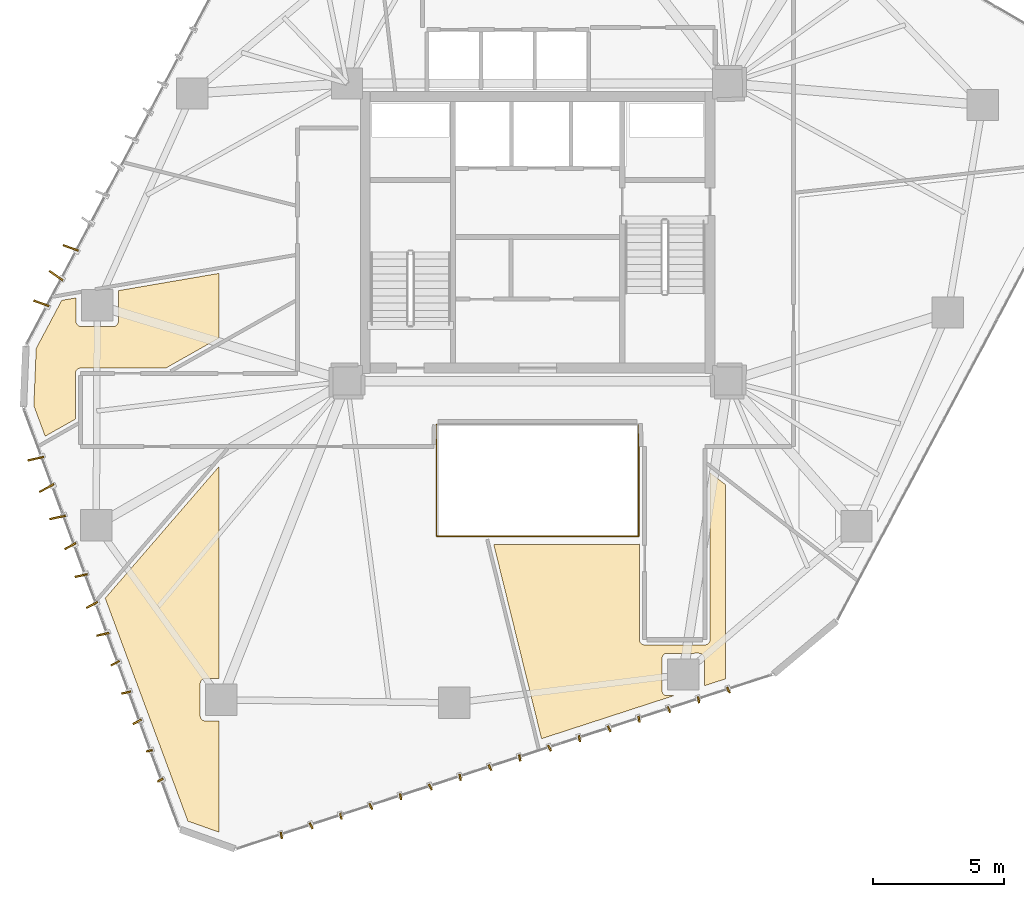
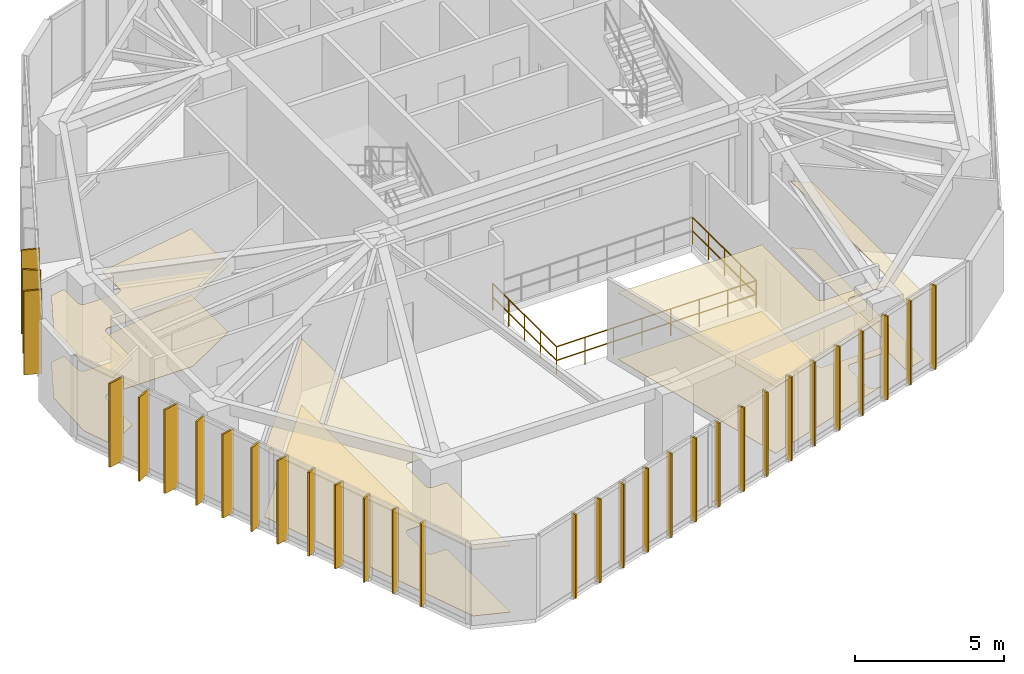
# One storey, part 19 of 21: 31 shading devices, 6 coverings, 3 railings.
"""IFC4 building model written with IfcOpenShell, lengths in metres."""

from ifc_helpers import new_model, si_unit, direction, frame, origin, origin_2d, place, context, subcontext, project, spatial, polyline, rectangle, circle, outline, extrude, source, transform, mapped, material, layer, layer_set, type_object, type_shapes, element, save


model = new_model("IFC4")

# Units and contexts
model_context = context("Model", 3, precision=1e-05, world=origin(), true_north=direction((0.0, 1.0)))
body_context = subcontext(model_context, "Body", "Model", "MODEL_VIEW")
ifc_project = project(units=[si_unit("LENGTHUNIT", "METRE"), si_unit("AREAUNIT", "SQUARE_METRE"), si_unit("VOLUMEUNIT", "CUBIC_METRE"), si_unit("PLANEANGLEUNIT", "RADIAN"), si_unit("MASSUNIT", "GRAM", prefix="KILO")], contexts=[model_context])

# Site, building, storey
site_placement = place(None, origin())
site = spatial("IfcSite", under=ifc_project, at=site_placement, CompositionType="ELEMENT")
building_placement = place(site_placement, origin())
building = spatial("IfcBuilding", under=site, at=building_placement, Name="Talar Marvaseh", CompositionType="ELEMENT")
storey_placement = place(building_placement, frame((0.0, 0.0, 143.39990234375)))
storey = spatial("IfcBuildingStorey", under=building, at=storey_placement, Name="L37", CompositionType="ELEMENT", Elevation=143.39990234375)

# Railings
ifc_material_1 = material(Name="Tempered Clear Glass", Category="glass")
railing_type = type_object("IfcRailingType", Name="Interior Atrium Edge Balustrade 1120", PredefinedType="BALUSTRADE", material=ifc_material_1)
railing_1_placement = place(storey_placement, frame((22.1298828125, 19.561279296875, 0.0)))
element("IfcRailing", 1, at=railing_1_placement, inside=storey, type_object=railing_type, Name="L37 Internal Daylight Atrium Balustrade 1", PredefinedType="BALUSTRADE", context=body_context, shape_type="SweptSolid", body=[
    extrude(circle(Radius=0.02392578125, at=origin_2d()), frame((0.0, 0.0, 1.09619140625), z_axis=(1.0, 0.0, 0.0), x_axis=(0.0, 1.0, 0.0)), (0.0, 0.0, 1.0), 7.740234375),
    extrude(circle(Radius=0.02392578125, at=origin_2d()), frame((0.0, 0.0, 0.5361328125), z_axis=(1.0, 0.0, 0.0), x_axis=(0.0, 1.0, 0.0)), (0.0, 0.0, 1.0), 7.740234375),
    extrude(circle(Radius=0.02099609375, at=origin_2d()), origin(), (0.0, 0.0, 1.0), 1.072021484375),
    extrude(circle(Radius=0.02099609375, at=origin_2d()), frame((1.105712890625, 0.0, 0.0)), (0.0, 0.0, 1.0), 1.072021484375),
    extrude(circle(Radius=0.02099609375, at=origin_2d()), frame((2.21142578125, 0.0, 0.0)), (0.0, 0.0, 1.0), 1.072021484375),
    extrude(circle(Radius=0.02099609375, at=origin_2d()), frame((3.317138671875, 0.0, 0.0)), (0.0, 0.0, 1.0), 1.072021484375),
    extrude(circle(Radius=0.02099609375, at=origin_2d()), frame((4.423095703125, 0.0, 0.0)), (0.0, 0.0, 1.0), 1.072021484375),
    extrude(circle(Radius=0.02099609375, at=origin_2d()), frame((5.52880859375, 0.0, 0.0)), (0.0, 0.0, 1.0), 1.072021484375),
    extrude(circle(Radius=0.02099609375, at=origin_2d()), frame((6.634521484375, 0.0, 0.0)), (0.0, 0.0, 1.0), 1.072021484375),
    extrude(circle(Radius=0.02099609375, at=origin_2d()), frame((7.740234375, 0.0, 0.0)), (0.0, 0.0, 1.0), 1.072021484375),
])
railing_2_placement = place(storey_placement, frame((29.8701171875, 19.561279296875, 0.0)))
element("IfcRailing", 2, at=railing_2_placement, inside=storey, type_object=railing_type, Name="L37 Internal Daylight Atrium Balustrade 2", PredefinedType="BALUSTRADE", context=body_context, shape_type="SweptSolid", body=[
    extrude(circle(Radius=0.02392578125, at=origin_2d()), frame((0.0, 0.0, 1.09619140625), z_axis=(0.0, 1.0, 0.0), x_axis=(-1.0, 0.0, 0.0)), (0.0, 0.0, 1.0), 4.27734375),
    extrude(circle(Radius=0.02392578125, at=origin_2d()), frame((0.0, 0.0, 0.5361328125), z_axis=(0.0, 1.0, 0.0), x_axis=(-1.0, 0.0, 0.0)), (0.0, 0.0, 1.0), 4.27734375),
    extrude(circle(Radius=0.02099609375, at=origin_2d()), origin(), (0.0, 0.0, 1.0), 1.072021484375),
    extrude(circle(Radius=0.02099609375, at=origin_2d()), frame((0.0, 1.0693359375, 0.0)), (0.0, 0.0, 1.0), 1.072021484375),
    extrude(circle(Radius=0.02099609375, at=origin_2d()), frame((0.0, 2.138671875, 0.0)), (0.0, 0.0, 1.0), 1.072021484375),
    extrude(circle(Radius=0.02099609375, at=origin_2d()), frame((0.0, 3.2080078125, 0.0)), (0.0, 0.0, 1.0), 1.072021484375),
    extrude(circle(Radius=0.02099609375, at=origin_2d()), frame((0.0, 4.27734375, 0.0)), (0.0, 0.0, 1.0), 1.072021484375),
])
railing_3_placement = place(storey_placement, frame((22.1298828125, 23.838623046875, 0.0)))
element("IfcRailing", 3, at=railing_3_placement, inside=storey, type_object=railing_type, Name="L37 Internal Daylight Atrium Balustrade 4", PredefinedType="BALUSTRADE", context=body_context, shape_type="SweptSolid", body=[
    extrude(circle(Radius=0.02392578125, at=origin_2d()), frame((0.0, 0.0, 1.09619140625), z_axis=(0.0, -1.0, 0.0), x_axis=(1.0, 0.0, 0.0)), (0.0, 0.0, 1.0), 4.27734375),
    extrude(circle(Radius=0.02392578125, at=origin_2d()), frame((0.0, 0.0, 0.5361328125), z_axis=(0.0, -1.0, 0.0), x_axis=(1.0, 0.0, 0.0)), (0.0, 0.0, 1.0), 4.27734375),
    extrude(circle(Radius=0.02099609375, at=origin_2d()), origin(), (0.0, 0.0, 1.0), 1.072021484375),
    extrude(circle(Radius=0.02099609375, at=origin_2d()), frame((0.0, -1.0693359375, 0.0)), (0.0, 0.0, 1.0), 1.072021484375),
    extrude(circle(Radius=0.02099609375, at=origin_2d()), frame((0.0, -2.138671875, 0.0)), (0.0, 0.0, 1.0), 1.072021484375),
    extrude(circle(Radius=0.02099609375, at=origin_2d()), frame((0.0, -3.2080078125, 0.0)), (0.0, 0.0, 1.0), 1.072021484375),
    extrude(circle(Radius=0.02099609375, at=origin_2d()), frame((0.0, -4.27734375, 0.0)), (0.0, 0.0, 1.0), 1.072021484375),
])

# Coverings
ifc_material_2 = material(Name="Mineral Fibre Acoustic Ceiling")
ifc_layer_1 = layer(ifc_material_2, 0.02490234375)
ifc_layer_set_1 = layer_set([ifc_layer_1], Name="Mineral Fibre Acoustic Ceiling")
covering_type_1 = type_object("IfcCoveringType", Name="Perforated Mineral Fibre Acoustic Suspended Ceiling", PredefinedType="CEILING", material=ifc_layer_set_1)
covering_1_placement = place(storey_placement, frame((0.0, 0.0, 2.72021484375)))
element("IfcCovering", 4, at=covering_1_placement, inside=storey, type_object=covering_type_1, Name="L37 Curatorial Office Acoustic Ceiling", PredefinedType="CEILING", context=body_context, shape_type="SweptSolid", body=[
    extrude(outline(polyline([(8.322998046875, 28.6875), (8.322998046875, 27.802001953125), (8.323974609375, 27.782470703125), (8.326904296875, 27.762939453125), (8.33154296875, 27.743896484375), (8.33837890625, 27.725341796875), (8.3466796875, 27.70751953125), (8.356689453125, 27.69091796875), (8.3662109375, 27.677001953125), (8.377685546875, 27.6611328125), (8.390869140625, 27.646484375), (8.405517578125, 27.633544921875), (8.421142578125, 27.621826171875), (8.43798828125, 27.61181640625), (8.455810546875, 27.603271484375), (8.47412109375, 27.5966796875), (8.4931640625, 27.592041015625), (8.5126953125, 27.589111328125), (8.5322265625, 27.588134765625), (9.74072265625, 27.58740234375), (9.760498046875, 27.588134765625), (9.77978515625, 27.591064453125), (9.798828125, 27.595947265625), (9.817138671875, 27.602294921875), (9.8349609375, 27.61083984375), (9.851806640625, 27.620849609375), (9.86767578125, 27.632568359375), (9.882080078125, 27.645751953125), (9.895263671875, 27.66015625), (9.907470703125, 27.6748046875), (9.919189453125, 27.690673828125), (9.92919921875, 27.70751953125), (9.937744140625, 27.725341796875), (9.9443359375, 27.743896484375), (9.94921875, 27.76318359375), (9.9521484375, 27.78271484375), (9.952880859375, 27.80224609375), (9.951416015625, 28.966796875), (13.800048828125, 29.627197265625), (13.800048828125, 27.150634765625), (11.76220703125, 26.0), (8.5, 26.0), (8.48046875, 25.9990234375), (8.4609375, 25.99609375), (8.44189453125, 25.991455078125), (8.423583984375, 25.98486328125), (8.40576171875, 25.976318359375), (8.388916015625, 25.96630859375), (8.373046875, 25.95458984375), (8.358642578125, 25.94140625), (8.345458984375, 25.927001953125), (8.333740234375, 25.9111328125), (8.323486328125, 25.894287109375), (8.315185546875, 25.87646484375), (8.30859375, 25.858154296875), (8.3037109375, 25.839111328125), (8.301025390625, 25.819580078125), (8.300048828125, 25.800048828125), (8.300048828125, 24.044677734375), (7.144287109375, 23.39208984375), (6.7109375, 24.560791015625), (6.802001953125, 26.754150390625), (7.777099609375, 28.59375), (8.322998046875, 28.6875)])), origin(), (0.0, 0.0, 1.0), 0.02490234375),
])
covering_2_placement = place(storey_placement, frame((0.0, 0.0, 2.72021484375)))
element("IfcCovering", 5, at=covering_2_placement, inside=storey, type_object=covering_type_1, Name="L37 Archival Research Office Acoustic Ceiling", PredefinedType="CEILING", context=body_context, shape_type="SweptSolid", body=[
    extrude(outline(polyline([(13.800048828125, 22.229736328125), (13.800048828125, 14.111572265625), (13.27978515625, 14.109619140625), (13.260009765625, 14.108642578125), (13.24072265625, 14.105712890625), (13.2216796875, 14.100830078125), (13.203369140625, 14.09423828125), (13.185791015625, 14.085693359375), (13.1689453125, 14.07568359375), (13.1533203125, 14.06396484375), (13.138671875, 14.05078125), (13.12548828125, 14.0361328125), (13.114013671875, 14.0205078125), (13.10400390625, 14.003662109375), (13.095703125, 13.986083984375), (13.089111328125, 13.967529296875), (13.084228515625, 13.948486328125), (13.081298828125, 13.92919921875), (13.080322265625, 13.90966796875), (13.080322265625, 12.6884765625), (13.081298828125, 12.668701171875), (13.084228515625, 12.6494140625), (13.089111328125, 12.63037109375), (13.095703125, 12.61181640625), (13.10400390625, 12.593994140625), (13.114013671875, 12.577392578125), (13.125732421875, 12.5615234375), (13.138916015625, 12.547119140625), (13.153564453125, 12.53369140625), (13.169189453125, 12.522216796875), (13.18603515625, 12.511962890625), (13.203857421875, 12.503662109375), (13.222412109375, 12.4970703125), (13.241455078125, 12.4921875), (13.2607421875, 12.489501953125), (13.280517578125, 12.48828125), (13.800048828125, 12.48828125), (13.800048828125, 8.2314453125), (12.609375, 8.65478515625), (9.444580078125, 17.18896484375), (13.800048828125, 22.229736328125)])), origin(), (0.0, 0.0, 1.0), 0.02490234375),
])
covering_3_placement = place(storey_placement, frame((0.0, 0.0, 2.72021484375)))
element("IfcCovering", 6, at=covering_3_placement, inside=storey, type_object=covering_type_1, Name="L37 Registrar Mail and Post Room Acoustic Ceiling", PredefinedType="CEILING", context=body_context, shape_type="SweptSolid", body=[
    extrude(outline(polyline([(29.90087890625, 15.580322265625), (29.90380859375, 15.56103515625), (29.90869140625, 15.5419921875), (29.915283203125, 15.5234375), (29.923583984375, 15.505615234375), (29.93359375, 15.489013671875), (29.9453125, 15.47314453125), (29.95849609375, 15.45849609375), (29.97314453125, 15.4453125), (29.989013671875, 15.43359375), (30.005615234375, 15.423583984375), (30.0234375, 15.415283203125), (30.0419921875, 15.40869140625), (30.06103515625, 15.40380859375), (30.080322265625, 15.40087890625), (30.10009765625, 15.39990234375), (32.39990234375, 15.39990234375), (32.419677734375, 15.40087890625), (32.43896484375, 15.40380859375), (32.4580078125, 15.40869140625), (32.4765625, 15.415283203125), (32.494384765625, 15.423583984375), (32.510986328125, 15.43359375), (32.52685546875, 15.4453125), (32.54150390625, 15.45849609375), (32.5546875, 15.47314453125), (32.56640625, 15.489013671875), (32.576416015625, 15.505615234375), (32.584716796875, 15.5234375), (32.59130859375, 15.5419921875), (32.59619140625, 15.56103515625), (32.59912109375, 15.580322265625), (32.60009765625, 15.60009765625), (32.60009765625, 21.99658203125), (33.199951171875, 21.531005859375), (33.199951171875, 14.10302734375), (32.381103515625, 13.8369140625), (32.385009765625, 14.868896484375), (32.384033203125, 14.887451171875), (32.381591796875, 14.90576171875), (32.377197265625, 14.924072265625), (32.371337890625, 14.941650390625), (32.364013671875, 14.958740234375), (32.35498046875, 14.974853515625), (32.34423828125, 14.990234375), (32.33251953125, 15.004638671875), (32.319091796875, 15.017578125), (32.30419921875, 15.03125), (32.2900390625, 15.04296875), (32.274658203125, 15.053466796875), (32.258544921875, 15.062255859375), (32.24169921875, 15.069580078125), (32.22412109375, 15.07568359375), (32.2060546875, 15.07958984375), (32.187744140625, 15.082275390625), (32.169189453125, 15.0830078125), (30.958740234375, 15.07861328125), (30.939208984375, 15.07763671875), (30.919921875, 15.07470703125), (30.90087890625, 15.06982421875), (30.88232421875, 15.063232421875), (30.86474609375, 15.0546875), (30.847900390625, 15.044677734375), (30.832275390625, 15.032958984375), (30.817626953125, 15.019775390625), (30.8046875, 15.005126953125), (30.79296875, 14.989501953125), (30.782958984375, 14.97265625), (30.774658203125, 14.955078125), (30.76806640625, 14.9365234375), (30.76318359375, 14.91748046875), (30.760498046875, 14.898193359375), (30.759521484375, 14.878662109375), (30.759521484375, 13.657470703125), (30.760498046875, 13.6376953125), (30.76318359375, 13.618408203125), (30.76806640625, 13.599365234375), (30.774658203125, 13.580810546875), (30.782958984375, 13.56298828125), (30.793212890625, 13.54638671875), (30.8046875, 13.530517578125), (30.818115234375, 13.51611328125), (30.83251953125, 13.502685546875), (30.848388671875, 13.4912109375), (30.864990234375, 13.48095703125), (30.8828125, 13.47265625), (30.9013671875, 13.466064453125), (30.92041015625, 13.461181640625), (30.939697265625, 13.45849609375), (30.95947265625, 13.45751953125), (31.2138671875, 13.45751953125), (26.14990234375, 11.81103515625), (24.32275390625, 19.239990234375), (29.800048828125, 19.239990234375), (29.81640625, 19.24072265625), (29.83251953125, 19.24267578125), (29.8486328125, 19.24609375), (29.89990234375, 19.2587890625), (29.89990234375, 15.60009765625), (29.90087890625, 15.580322265625)])), origin(), (0.0, 0.0, 1.0), 0.02490234375),
])
ifc_material_3 = material(Name="Porcelain Stoneware Tile", Category="masonry")
ifc_layer_2 = layer(ifc_material_3, 0.02001953125)
ifc_layer_set_2 = layer_set([ifc_layer_2], Name="Porcelain Stoneware Tile")
covering_type_2 = type_object("IfcCoveringType", Name="Polished Porcelain Stoneware Gallery Flooring", PredefinedType="FLOORING", material=ifc_layer_set_2)
covering_4_placement = place(storey_placement, origin())
element("IfcCovering", 7, at=covering_4_placement, inside=storey, type_object=covering_type_2, Name="L37 Curatorial Office Flooring", PredefinedType="FLOORING", context=body_context, shape_type="SweptSolid", body=[
    extrude(outline(polyline([(8.322998046875, 28.6875), (8.322998046875, 27.802001953125), (8.323974609375, 27.782470703125), (8.326904296875, 27.762939453125), (8.33154296875, 27.743896484375), (8.33837890625, 27.725341796875), (8.3466796875, 27.70751953125), (8.356689453125, 27.69091796875), (8.3662109375, 27.677001953125), (8.377685546875, 27.6611328125), (8.390869140625, 27.646484375), (8.405517578125, 27.633544921875), (8.421142578125, 27.621826171875), (8.43798828125, 27.61181640625), (8.455810546875, 27.603271484375), (8.47412109375, 27.5966796875), (8.4931640625, 27.592041015625), (8.5126953125, 27.589111328125), (8.5322265625, 27.588134765625), (9.74072265625, 27.58740234375), (9.760498046875, 27.588134765625), (9.77978515625, 27.591064453125), (9.798828125, 27.595947265625), (9.817138671875, 27.602294921875), (9.8349609375, 27.61083984375), (9.851806640625, 27.620849609375), (9.86767578125, 27.632568359375), (9.882080078125, 27.645751953125), (9.895263671875, 27.66015625), (9.907470703125, 27.6748046875), (9.919189453125, 27.690673828125), (9.92919921875, 27.70751953125), (9.937744140625, 27.725341796875), (9.9443359375, 27.743896484375), (9.94921875, 27.76318359375), (9.9521484375, 27.78271484375), (9.952880859375, 27.80224609375), (9.951416015625, 28.966796875), (13.800048828125, 29.627197265625), (13.800048828125, 27.150634765625), (11.76220703125, 26.0), (8.5, 26.0), (8.48046875, 25.9990234375), (8.4609375, 25.99609375), (8.44189453125, 25.991455078125), (8.423583984375, 25.98486328125), (8.40576171875, 25.976318359375), (8.388916015625, 25.96630859375), (8.373046875, 25.95458984375), (8.358642578125, 25.94140625), (8.345458984375, 25.927001953125), (8.333740234375, 25.9111328125), (8.323486328125, 25.894287109375), (8.315185546875, 25.87646484375), (8.30859375, 25.858154296875), (8.3037109375, 25.839111328125), (8.301025390625, 25.819580078125), (8.300048828125, 25.800048828125), (8.300048828125, 24.044677734375), (7.144287109375, 23.39208984375), (6.7109375, 24.560791015625), (6.802001953125, 26.754150390625), (7.777099609375, 28.59375), (8.322998046875, 28.6875)])), origin(), (0.0, 0.0, 1.0), 0.02001953125),
])
covering_5_placement = place(storey_placement, origin())
element("IfcCovering", 8, at=covering_5_placement, inside=storey, type_object=covering_type_2, Name="L37 Archival Research Office Flooring", PredefinedType="FLOORING", context=body_context, shape_type="SweptSolid", body=[
    extrude(outline(polyline([(13.800048828125, 22.229736328125), (13.800048828125, 14.111572265625), (13.27978515625, 14.109619140625), (13.260009765625, 14.108642578125), (13.24072265625, 14.105712890625), (13.2216796875, 14.100830078125), (13.203369140625, 14.09423828125), (13.185791015625, 14.085693359375), (13.1689453125, 14.07568359375), (13.1533203125, 14.06396484375), (13.138671875, 14.05078125), (13.12548828125, 14.0361328125), (13.114013671875, 14.0205078125), (13.10400390625, 14.003662109375), (13.095703125, 13.986083984375), (13.089111328125, 13.967529296875), (13.084228515625, 13.948486328125), (13.081298828125, 13.92919921875), (13.080322265625, 13.90966796875), (13.080322265625, 12.6884765625), (13.081298828125, 12.668701171875), (13.084228515625, 12.6494140625), (13.089111328125, 12.63037109375), (13.095703125, 12.61181640625), (13.10400390625, 12.593994140625), (13.114013671875, 12.577392578125), (13.125732421875, 12.5615234375), (13.138916015625, 12.547119140625), (13.153564453125, 12.53369140625), (13.169189453125, 12.522216796875), (13.18603515625, 12.511962890625), (13.203857421875, 12.503662109375), (13.222412109375, 12.4970703125), (13.241455078125, 12.4921875), (13.2607421875, 12.489501953125), (13.280517578125, 12.48828125), (13.800048828125, 12.48828125), (13.800048828125, 8.2314453125), (12.609375, 8.65478515625), (9.444580078125, 17.18896484375), (13.800048828125, 22.229736328125)])), origin(), (0.0, 0.0, 1.0), 0.02001953125),
])
covering_6_placement = place(storey_placement, origin())
element("IfcCovering", 9, at=covering_6_placement, inside=storey, type_object=covering_type_2, Name="L37 Registrar Mail and Post Room Flooring", PredefinedType="FLOORING", context=body_context, shape_type="SweptSolid", body=[
    extrude(outline(polyline([(29.90087890625, 15.580322265625), (29.90380859375, 15.56103515625), (29.90869140625, 15.5419921875), (29.915283203125, 15.5234375), (29.923583984375, 15.505615234375), (29.93359375, 15.489013671875), (29.9453125, 15.47314453125), (29.95849609375, 15.45849609375), (29.97314453125, 15.4453125), (29.989013671875, 15.43359375), (30.005615234375, 15.423583984375), (30.0234375, 15.415283203125), (30.0419921875, 15.40869140625), (30.06103515625, 15.40380859375), (30.080322265625, 15.40087890625), (30.10009765625, 15.39990234375), (32.39990234375, 15.39990234375), (32.419677734375, 15.40087890625), (32.43896484375, 15.40380859375), (32.4580078125, 15.40869140625), (32.4765625, 15.415283203125), (32.494384765625, 15.423583984375), (32.510986328125, 15.43359375), (32.52685546875, 15.4453125), (32.54150390625, 15.45849609375), (32.5546875, 15.47314453125), (32.56640625, 15.489013671875), (32.576416015625, 15.505615234375), (32.584716796875, 15.5234375), (32.59130859375, 15.5419921875), (32.59619140625, 15.56103515625), (32.59912109375, 15.580322265625), (32.60009765625, 15.60009765625), (32.60009765625, 21.99658203125), (33.199951171875, 21.531005859375), (33.199951171875, 14.10302734375), (32.381103515625, 13.8369140625), (32.385009765625, 14.868896484375), (32.384033203125, 14.887451171875), (32.381591796875, 14.90576171875), (32.377197265625, 14.924072265625), (32.371337890625, 14.941650390625), (32.364013671875, 14.958740234375), (32.35498046875, 14.974853515625), (32.34423828125, 14.990234375), (32.33251953125, 15.004638671875), (32.319091796875, 15.017578125), (32.30419921875, 15.03125), (32.2900390625, 15.04296875), (32.274658203125, 15.053466796875), (32.258544921875, 15.062255859375), (32.24169921875, 15.069580078125), (32.22412109375, 15.07568359375), (32.2060546875, 15.07958984375), (32.187744140625, 15.082275390625), (32.169189453125, 15.0830078125), (30.958740234375, 15.07861328125), (30.939208984375, 15.07763671875), (30.919921875, 15.07470703125), (30.90087890625, 15.06982421875), (30.88232421875, 15.063232421875), (30.86474609375, 15.0546875), (30.847900390625, 15.044677734375), (30.832275390625, 15.032958984375), (30.817626953125, 15.019775390625), (30.8046875, 15.005126953125), (30.79296875, 14.989501953125), (30.782958984375, 14.97265625), (30.774658203125, 14.955078125), (30.76806640625, 14.9365234375), (30.76318359375, 14.91748046875), (30.760498046875, 14.898193359375), (30.759521484375, 14.878662109375), (30.759521484375, 13.657470703125), (30.760498046875, 13.6376953125), (30.76318359375, 13.618408203125), (30.76806640625, 13.599365234375), (30.774658203125, 13.580810546875), (30.782958984375, 13.56298828125), (30.793212890625, 13.54638671875), (30.8046875, 13.530517578125), (30.818115234375, 13.51611328125), (30.83251953125, 13.502685546875), (30.848388671875, 13.4912109375), (30.864990234375, 13.48095703125), (30.8828125, 13.47265625), (30.9013671875, 13.466064453125), (30.92041015625, 13.461181640625), (30.939697265625, 13.45849609375), (30.95947265625, 13.45751953125), (31.2138671875, 13.45751953125), (26.14990234375, 11.81103515625), (24.32275390625, 19.239990234375), (29.800048828125, 19.239990234375), (29.81640625, 19.24072265625), (29.83251953125, 19.24267578125), (29.8486328125, 19.24609375), (29.89990234375, 19.2587890625), (29.89990234375, 15.60009765625), (29.90087890625, 15.580322265625)])), origin(), (0.0, 0.0, 1.0), 0.02001953125),
])

# Shading devices
ifc_material_4 = material(Name="Anodised Champagne Bronze Aluminium", Category="aluminium")
ifc_layer_3 = layer(ifc_material_4, 0.06494140625)
ifc_layer_set_3 = layer_set([ifc_layer_3], Name="Anodised Champagne Bronze Aluminium")
shading_device_type_1 = type_object("IfcShadingDeviceType", Name="Sawtooth Champagne Bronze Vertical Fin 240", PredefinedType="USERDEFINED", material=ifc_layer_set_3)
shared_shape_1 = source(origin(), body_context, "Body", "SweptSolid", [
    extrude(rectangle(XDim=0.239990234375, YDim=0.06494140625, at=origin_2d()), origin(), (0.0, 0.0, 1.0), 3.429931640625),
])
type_shapes(shading_device_type_1, [shared_shape_1])
for number, where, z_axis, x_axis, name in (
    (10, (11.553466796875, 10.222412109375, -0.11962890625), (0.0, 0.0, 1.0), (-0.880063298291, -0.474856389871, 0.0), "L37 Sawtooth Vertical Solar Fin"),
    (11, (11.13623046875, 11.347412109375, -0.11962890625), (0.0, 0.0, 1.0), (-0.976859298345, -0.213882938162, 0.0), "L37 Sawtooth Vertical Solar Fin"),
    (12, (33.30517578125, 13.669189453125, -0.11962890625), (0.0, 0.0, 1.0), (0.438528009266, -0.898717522412, 0.0), "L37 Sawtooth Vertical Solar Fin"),
    (13, (32.163818359375, 13.29833984375, -0.11962890625), (0.0, 0.0, 1.0), (0.173820056399, -0.984777430688, 0.0), "L37 Sawtooth Vertical Solar Fin"),
    (14, (31.022705078125, 12.92724609375, -0.11962890625), (0.0, 0.0, 1.0), (0.438528009266, -0.898717522412, 0.0), "L37 Sawtooth Vertical Solar Fin"),
    (15, (29.881591796875, 12.556396484375, -0.11962890625), (0.0, 0.0, 1.0), (0.173820056399, -0.984777430688, 0.0), "L37 Sawtooth Vertical Solar Fin"),
    (16, (28.740234375, 12.185302734375, -0.11962890625), (0.0, 0.0, 1.0), (0.438528009266, -0.898717522412, 0.0), "L37 Sawtooth Vertical Solar Fin"),
    (17, (27.59912109375, 11.814208984375, -0.11962890625), (0.0, 0.0, 1.0), (0.173820056399, -0.984777430688, 0.0), "L37 Sawtooth Vertical Solar Fin"),
    (18, (26.4580078125, 11.443359375, -0.11962890625), (0.0, 0.0, 1.0), (0.438528009266, -0.898717522412, 0.0), "L37 Sawtooth Vertical Solar Fin"),
    (19, (25.316650390625, 11.072265625, -0.11962890625), (0.0, 0.0, 1.0), (0.173820056399, -0.984777430688, 0.0), "L37 Sawtooth Vertical Solar Fin"),
    (20, (24.175537109375, 10.701416015625, -0.11962890625), (0.0, 0.0, 1.0), (0.438528009266, -0.898717522412, 0.0), "L37 Sawtooth Vertical Solar Fin"),
    (21, (23.0341796875, 10.330322265625, -0.11962890625), (0.0, 0.0, 1.0), (0.173820056399, -0.984777430688, 0.0), "L37 Sawtooth Vertical Solar Fin"),
    (22, (21.89306640625, 9.95947265625, -0.11962890625), (0.0, 0.0, 1.0), (0.438528009266, -0.898717522412, 0.0), "L37 Sawtooth Vertical Solar Fin"),
    (23, (20.751708984375, 9.58837890625, -0.11962890625), (0.0, 0.0, 1.0), (0.173820056399, -0.984777430688, 0.0), "L37 Sawtooth Vertical Solar Fin"),
    (24, (19.610595703125, 9.21728515625, -0.11962890625), (0.0, 0.0, 1.0), (0.438528009266, -0.898717522412, 0.0), "L37 Sawtooth Vertical Solar Fin"),
    (25, (18.469482421875, 8.846435546875, -0.11962890625), (0.0, 0.0, 1.0), (0.173820056399, -0.984777430688, 0.0), "L37 Sawtooth Vertical Solar Fin"),
    (26, (17.328125, 8.475341796875, -0.11962890625), (0.0, 0.0, 1.0), (0.438528009266, -0.898717522412, 0.0), "L37 Sawtooth Vertical Solar Fin"),
    (27, (16.18701171875, 8.1044921875, -0.11962890625), (0.0, 0.0, 1.0), (0.173820056399, -0.984777430688, 0.0), "L37 Sawtooth Vertical Solar Fin"),
):
    element("IfcShadingDevice", number, at=place(storey_placement, frame(where, z_axis=z_axis, x_axis=x_axis)), inside=storey, type_object=shading_device_type_1, Name=name, ObjectType="FIN", PredefinedType="USERDEFINED", context=body_context, shape_type="MappedRepresentation", body=[
        mapped(shared_shape_1, transform((0.0, 0.0, 0.0), x_axis=(1.0, 0.0, 0.0), y_axis=(0.0, 1.0, 0.0), z_axis=(0.0, 0.0, 1.0), scale=1.0)),
    ])
ifc_layer_4 = layer(ifc_material_4, 0.06494140625)
ifc_layer_set_4 = layer_set([ifc_layer_4], Name="Anodised Champagne Bronze Aluminium")
shading_device_type_2 = type_object("IfcShadingDeviceType", Name="Sawtooth Champagne Bronze Vertical Fin 360", PredefinedType="USERDEFINED", material=ifc_layer_set_4)
shared_shape_2 = source(origin(), body_context, "Body", "SweptSolid", [
    extrude(rectangle(XDim=0.360107421875, YDim=0.06494140625, at=origin_2d()), origin(), (0.0, 0.0, 1.0), 3.429931640625),
])
type_shapes(shading_device_type_2, [shared_shape_2])
for number, where, z_axis, x_axis, name in (
    (28, (10.66259765625, 12.451904296875, -0.11962890625), (0.0, 0.0, 1.0), (-0.880063298291, -0.474856389871, 0.0), "L37 Sawtooth Vertical Solar Fin"),
    (29, (10.24560546875, 13.576904296875, -0.11962890625), (0.0, 0.0, 1.0), (-0.976859298345, -0.213882938162, 0.0), "L37 Sawtooth Vertical Solar Fin"),
    (30, (9.828369140625, 14.701904296875, -0.11962890625), (0.0, 0.0, 1.0), (-0.880063298291, -0.474856389871, 0.0), "L37 Sawtooth Vertical Solar Fin"),
):
    element("IfcShadingDevice", number, at=place(storey_placement, frame(where, z_axis=z_axis, x_axis=x_axis)), inside=storey, type_object=shading_device_type_2, Name=name, ObjectType="FIN", PredefinedType="USERDEFINED", context=body_context, shape_type="MappedRepresentation", body=[
        mapped(shared_shape_2, transform((0.0, 0.0, 0.0), x_axis=(1.0, 0.0, 0.0), y_axis=(0.0, 1.0, 0.0), z_axis=(0.0, 0.0, 1.0), scale=1.0)),
    ])
ifc_layer_5 = layer(ifc_material_4, 0.06494140625)
ifc_layer_set_5 = layer_set([ifc_layer_5], Name="Anodised Champagne Bronze Aluminium")
shading_device_type_3 = type_object("IfcShadingDeviceType", Name="Sawtooth Champagne Bronze Vertical Fin 480", PredefinedType="USERDEFINED", material=ifc_layer_set_5)
shared_shape_3 = source(origin(), body_context, "Body", "SweptSolid", [
    extrude(rectangle(XDim=0.47998046875, YDim=0.06494140625, at=origin_2d()), origin(), (0.0, 0.0, 1.0), 3.429931640625),
])
type_shapes(shading_device_type_3, [shared_shape_3])
for number, where, z_axis, x_axis, name in (
    (31, (9.354736328125, 15.806396484375, -0.11962890625), (0.0, 0.0, 1.0), (-0.976859298345, -0.213882938162, 0.0), "L37 Sawtooth Vertical Solar Fin"),
    (32, (8.9375, 16.931396484375, -0.11962890625), (0.0, 0.0, 1.0), (-0.880063298291, -0.474856389871, 0.0), "L37 Sawtooth Vertical Solar Fin"),
    (33, (8.520263671875, 18.056640625, -0.11962890625), (0.0, 0.0, 1.0), (-0.976859298345, -0.213882938162, 0.0), "L37 Sawtooth Vertical Solar Fin"),
    (34, (8.10302734375, 19.181640625, -0.11962890625), (0.0, 0.0, 1.0), (-0.880063298291, -0.474856389871, 0.0), "L37 Sawtooth Vertical Solar Fin"),
):
    element("IfcShadingDevice", number, at=place(storey_placement, frame(where, z_axis=z_axis, x_axis=x_axis)), inside=storey, type_object=shading_device_type_3, Name=name, ObjectType="FIN", PredefinedType="USERDEFINED", context=body_context, shape_type="MappedRepresentation", body=[
        mapped(shared_shape_3, transform((0.0, 0.0, 0.0), x_axis=(1.0, 0.0, 0.0), y_axis=(0.0, 1.0, 0.0), z_axis=(0.0, 0.0, 1.0), scale=1.0)),
    ])
ifc_layer_6 = layer(ifc_material_4, 0.06494140625)
ifc_layer_set_6 = layer_set([ifc_layer_6], Name="Anodised Champagne Bronze Aluminium")
shading_device_type_4 = type_object("IfcShadingDeviceType", Name="Sawtooth Champagne Bronze Vertical Fin 620", PredefinedType="USERDEFINED", material=ifc_layer_set_6)
shared_shape_4 = source(origin(), body_context, "Body", "SweptSolid", [
    extrude(rectangle(XDim=0.6201171875, YDim=0.06494140625, at=origin_2d()), origin(), (0.0, 0.0, 1.0), 3.429931640625),
])
type_shapes(shading_device_type_4, [shared_shape_4])
for number, where, z_axis, x_axis, name in (
    (35, (7.620361328125, 20.282470703125, -0.11962890625), (0.0, 0.0, 1.0), (-0.976859298345, -0.213882938162, 0.0), "L37 Sawtooth Vertical Solar Fin"),
    (36, (7.202880859375, 21.40771484375, -0.11962890625), (0.0, 0.0, 1.0), (-0.880063298291, -0.474856389871, 0.0), "L37 Sawtooth Vertical Solar Fin"),
    (37, (6.785888671875, 22.53271484375, -0.11962890625), (0.0, 0.0, 1.0), (-0.976859298345, -0.213882938162, 0.0), "L37 Sawtooth Vertical Solar Fin"),
    (38, (6.998779296875, 28.481201171875, -0.11962890625), (0.0, 0.0, 1.0), (-0.94010977581, 0.340871837244, 0.0), "L37 Sawtooth Vertical Solar Fin"),
    (39, (7.560791015625, 29.541259765625, -0.11962890625), (0.0, 0.0, 1.0), (-0.809734505573, 0.586796413149, 0.0), "L37 Sawtooth Vertical Solar Fin"),
    (40, (8.123046875, 30.6015625, -0.11962890625), (0.0, 0.0, 1.0), (-0.94010977581, 0.340871837244, 0.0), "L37 Sawtooth Vertical Solar Fin"),
):
    element("IfcShadingDevice", number, at=place(storey_placement, frame(where, z_axis=z_axis, x_axis=x_axis)), inside=storey, type_object=shading_device_type_4, Name=name, ObjectType="FIN", PredefinedType="USERDEFINED", context=body_context, shape_type="MappedRepresentation", body=[
        mapped(shared_shape_4, transform((0.0, 0.0, 0.0), x_axis=(1.0, 0.0, 0.0), y_axis=(0.0, 1.0, 0.0), z_axis=(0.0, 0.0, 1.0), scale=1.0)),
    ])

save(model, "model.ifc")
